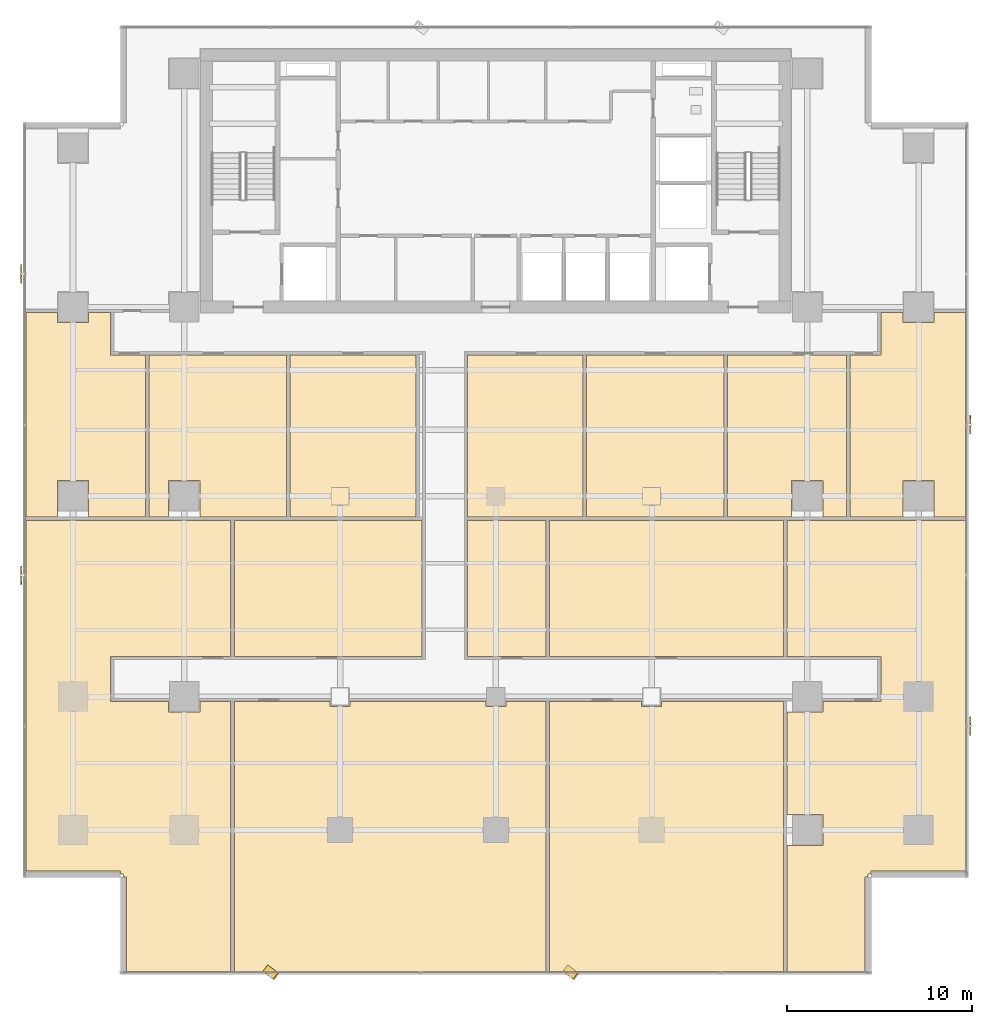
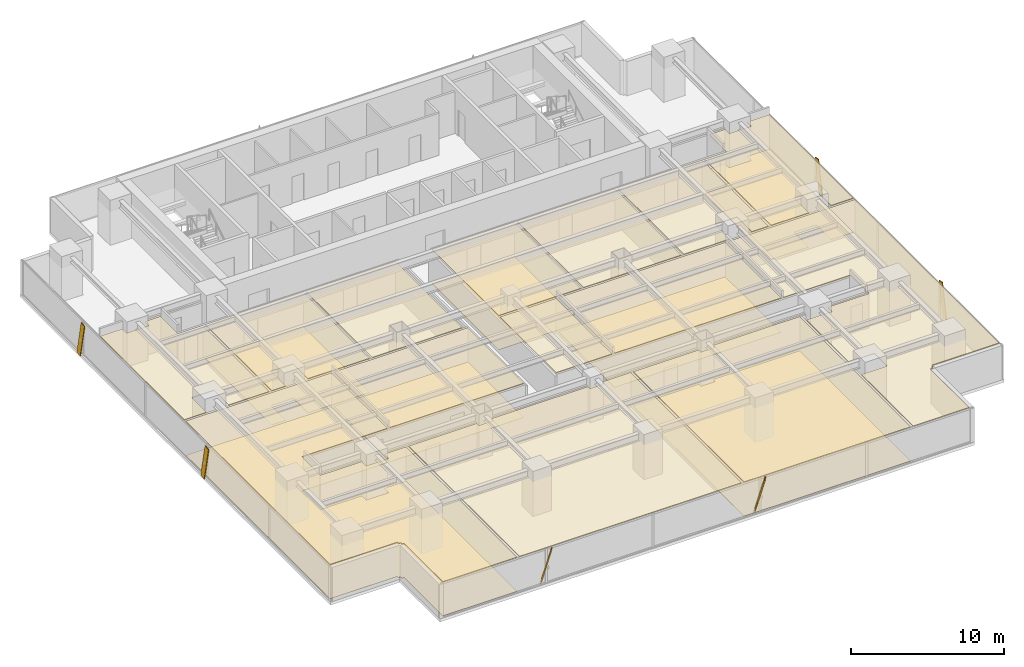
# One storey, part 32 of 36: 21 coverings, 6 shading devices.
"""IFC4 building model written with IfcOpenShell, lengths in metres."""

from ifc_helpers import new_model, si_unit, direction, frame, origin, origin_2d, place, context, subcontext, project, spatial, polyline, rectangle, outline, extrude, source, transform, mapped, material, layer, layer_set, material_profile, profile_set, type_object, element, save


model = new_model("IFC4")

# Units and contexts
model_context = context("Model", 3, precision=1e-05, world=origin(), true_north=direction((0.0, 1.0)))
body_context = subcontext(model_context, "Body", "Model", "MODEL_VIEW")
ifc_project = project(units=[si_unit("LENGTHUNIT", "METRE"), si_unit("AREAUNIT", "SQUARE_METRE"), si_unit("VOLUMEUNIT", "CUBIC_METRE"), si_unit("PLANEANGLEUNIT", "RADIAN"), si_unit("MASSUNIT", "GRAM", prefix="KILO")], contexts=[model_context])

# Site, building, storey
site_placement = place(None, origin())
site = spatial("IfcSite", under=ifc_project, at=site_placement, CompositionType="ELEMENT")
building_placement = place(site_placement, origin())
building = spatial("IfcBuilding", under=site, at=building_placement, Name="Sumidabori Civic Tower", CompositionType="ELEMENT")
storey_placement = place(building_placement, frame((0.0, 0.0, 92.0)))
storey = spatial("IfcBuildingStorey", under=building, at=storey_placement, Name="L23", CompositionType="ELEMENT", Elevation=92.0)

# Coverings
ifc_material_1 = material(Name="Gypsum Coffered Acoustic Ceiling")
ifc_layer_1 = layer(ifc_material_1, 0.06494140625, Name="Gypsum Coffered Acoustic Ceiling")
ifc_layer_set_1 = layer_set([ifc_layer_1], Name="Gypsum Coffered Acoustic Ceiling")
covering_type_1 = type_object("IfcCoveringType", Name="CV-CEIL-AC4", PredefinedType="CEILING", material=ifc_layer_set_1)
covering_1_placement = place(storey_placement, frame((0.0, 0.0, 2.7099609375)))
element("IfcCovering", 1, at=covering_1_placement, inside=storey, type_object=covering_type_1, Name="Room Acoustic Ceiling L23-02", PredefinedType="CEILING", context=body_context, shape_type="SweptSolid", body=[
    extrude(outline(polyline([(-25.330078125, -1.10498046875), (-25.330078125, 9.905029296875), (-23.639892578125, 9.905029296875), (-23.639892578125, 9.360107421875), (-21.9599609375, 9.360107421875), (-21.9599609375, 9.905029296875), (-20.77001953125, 9.905029296875), (-20.77001953125, 7.6298828125), (-18.89501953125, 7.6298828125), (-18.89501953125, -1.10498046875), (-21.9599609375, -1.10498046875), (-21.9599609375, 0.840087890625), (-23.639892578125, 0.840087890625), (-23.639892578125, -1.10498046875), (-25.330078125, -1.10498046875)])), origin(), (0.0, 0.0, 1.0), 0.06494140625),
])
covering_2_placement = place(storey_placement, frame((0.0, 0.0, 2.7099609375)))
element("IfcCovering", 2, at=covering_2_placement, inside=storey, type_object=covering_type_1, Name="Room Acoustic Ceiling L23-03", PredefinedType="CEILING", context=body_context, shape_type="SweptSolid", body=[
    extrude(outline(polyline([(19.094970703125, 7.6298828125), (20.77001953125, 7.6298828125), (20.77001953125, 9.905029296875), (21.9599609375, 9.905029296875), (21.9599609375, 9.360107421875), (23.639892578125, 9.360107421875), (23.639892578125, 9.905029296875), (25.330078125, 9.905029296875), (25.330078125, -1.10498046875), (23.639892578125, -1.10498046875), (23.639892578125, 0.840087890625), (21.9599609375, 0.840087890625), (21.9599609375, -1.10498046875), (19.094970703125, -1.10498046875), (19.094970703125, 7.6298828125)])), origin(), (0.0, 0.0, 1.0), 0.06494140625),
])
covering_3_placement = place(storey_placement, frame((0.0, 0.0, 2.7099609375)))
element("IfcCovering", 3, at=covering_3_placement, inside=storey, type_object=covering_type_1, Name="Room Acoustic Ceiling L23-04", PredefinedType="CEILING", context=body_context, shape_type="SweptSolid", body=[
    extrude(outline(polyline([(12.4951171875, 7.6298828125), (18.905029296875, 7.6298828125), (18.905029296875, -1.10498046875), (17.639892578125, -1.10498046875), (17.639892578125, 0.840087890625), (15.9599609375, 0.840087890625), (15.9599609375, -1.10498046875), (12.4951171875, -1.10498046875), (12.4951171875, 7.6298828125)])), origin(), (0.0, 0.0, 1.0), 0.06494140625),
])
covering_4_placement = place(storey_placement, frame((0.0, 0.0, 2.7099609375)))
element("IfcCovering", 4, at=covering_4_placement, inside=storey, type_object=covering_type_1, Name="Room Acoustic Ceiling L23-05", PredefinedType="CEILING", context=body_context, shape_type="SweptSolid", body=[
    extrude(outline(polyline([(-18.705078125, 7.6298828125), (-11.294921875, 7.6298828125), (-11.294921875, -1.10498046875), (-15.9599609375, -1.10498046875), (-15.9599609375, 0.840087890625), (-17.639892578125, 0.840087890625), (-17.639892578125, -1.10498046875), (-18.705078125, -1.10498046875), (-18.705078125, 7.6298828125)])), origin(), (0.0, 0.0, 1.0), 0.06494140625),
])
covering_5_placement = place(storey_placement, frame((0.0, 0.0, 2.7099609375)))
element("IfcCovering", 5, at=covering_5_placement, inside=storey, type_object=covering_type_1, Name="Room Acoustic Ceiling L23-06", PredefinedType="CEILING", context=body_context, shape_type="SweptSolid", body=[
    extrude(outline(polyline([(-11.10498046875, 7.6298828125), (-4.294921875, 7.6298828125), (-4.294921875, -1.10498046875), (-11.10498046875, -1.10498046875), (-11.10498046875, 7.6298828125)])), origin(), (0.0, 0.0, 1.0), 0.06494140625),
])
covering_6_placement = place(storey_placement, frame((0.0, 0.0, 2.7099609375)))
element("IfcCovering", 6, at=covering_6_placement, inside=storey, type_object=covering_type_1, Name="Room Acoustic Ceiling L23-07", PredefinedType="CEILING", context=body_context, shape_type="SweptSolid", body=[
    extrude(outline(polyline([(-1.530029296875, 7.6298828125), (4.705078125, 7.6298828125), (4.705078125, -1.10498046875), (-1.530029296875, -1.10498046875), (-1.530029296875, 7.6298828125)])), origin(), (0.0, 0.0, 1.0), 0.06494140625),
])
covering_7_placement = place(storey_placement, frame((0.0, 0.0, 2.7099609375)))
element("IfcCovering", 7, at=covering_7_placement, inside=storey, type_object=covering_type_1, Name="Room Acoustic Ceiling L23-08", PredefinedType="CEILING", context=body_context, shape_type="SweptSolid", body=[
    extrude(outline(polyline([(4.89501953125, 7.6298828125), (12.304931640625, 7.6298828125), (12.304931640625, -1.10498046875), (4.89501953125, -1.10498046875), (4.89501953125, 7.6298828125)])), origin(), (0.0, 0.0, 1.0), 0.06494140625),
])
covering_8_placement = place(storey_placement, frame((0.0, 0.0, 2.7099609375)))
element("IfcCovering", 8, at=covering_8_placement, inside=storey, type_object=covering_type_1, Name="Room Acoustic Ceiling L23-09", PredefinedType="CEILING", context=body_context, shape_type="SweptSolid", body=[
    extrude(outline(polyline([(-3.969970703125, -8.6298828125), (-14.10498046875, -8.6298828125), (-14.10498046875, -1.294921875), (-3.969970703125, -1.294921875), (-3.969970703125, -8.6298828125)])), origin(), (0.0, 0.0, 1.0), 0.06494140625),
])
covering_9_placement = place(storey_placement, frame((0.0, 0.0, 2.7099609375)))
element("IfcCovering", 9, at=covering_9_placement, inside=storey, type_object=covering_type_1, Name="Room Acoustic Ceiling L23-10", PredefinedType="CEILING", context=body_context, shape_type="SweptSolid", body=[
    extrude(outline(polyline([(-1.530029296875, -8.6298828125), (-1.530029296875, -1.294921875), (2.705078125, -1.294921875), (2.705078125, -8.6298828125), (-1.530029296875, -8.6298828125)])), origin(), (0.0, 0.0, 1.0), 0.06494140625),
])
covering_10_placement = place(storey_placement, frame((0.0, 0.0, 2.7099609375)))
element("IfcCovering", 10, at=covering_10_placement, inside=storey, type_object=covering_type_1, Name="Room Acoustic Ceiling L23-11", PredefinedType="CEILING", context=body_context, shape_type="SweptSolid", body=[
    extrude(outline(polyline([(2.89501953125, -8.6298828125), (2.89501953125, -1.294921875), (15.5048828125, -1.294921875), (15.5048828125, -8.6298828125), (2.89501953125, -8.6298828125)])), origin(), (0.0, 0.0, 1.0), 0.06494140625),
])
covering_11_placement = place(storey_placement, frame((0.0, 0.0, 2.7099609375)))
element("IfcCovering", 11, at=covering_11_placement, inside=storey, type_object=covering_type_1, Name="Room Acoustic Ceiling L23-12", PredefinedType="CEILING", context=body_context, shape_type="SweptSolid", body=[
    extrude(outline(polyline([(15.695068359375, -18.840087890625), (17.639892578125, -18.840087890625), (17.639892578125, -17.159912109375), (15.695068359375, -17.159912109375), (15.695068359375, -11.639892578125), (17.639892578125, -11.639892578125), (17.639892578125, -11.070068359375), (20.77001953125, -11.070068359375), (20.77001953125, -8.6298828125), (15.695068359375, -8.6298828125), (15.695068359375, -1.294921875), (25.330078125, -1.294921875), (25.330078125, -20.221923828125), (20.241943359375, -20.221923828125), (20.241943359375, -20.3798828125), (20.080078125, -20.3798828125), (20.080078125, -20.5419921875), (19.922119140625, -20.5419921875), (19.922119140625, -25.6298828125), (15.695068359375, -25.6298828125), (15.695068359375, -18.840087890625)])), origin(), (0.0, 0.0, 1.0), 0.06494140625),
])
covering_12_placement = place(storey_placement, frame((0.0, 0.0, 2.7099609375)))
element("IfcCovering", 12, at=covering_12_placement, inside=storey, type_object=covering_type_1, Name="Room Acoustic Ceiling L23-13", PredefinedType="CEILING", context=body_context, shape_type="SweptSolid", body=[
    extrude(outline(polyline([(-25.330078125, -20.221923828125), (-25.330078125, -1.294921875), (-14.294921875, -1.294921875), (-14.294921875, -8.6298828125), (-20.77001953125, -8.6298828125), (-20.77001953125, -11.070068359375), (-17.639892578125, -11.070068359375), (-17.639892578125, -11.639892578125), (-15.9599609375, -11.639892578125), (-15.9599609375, -11.070068359375), (-14.294921875, -11.070068359375), (-14.294921875, -25.6298828125), (-19.922119140625, -25.6298828125), (-19.922119140625, -20.5419921875), (-20.080078125, -20.5419921875), (-20.080078125, -20.3798828125), (-20.241943359375, -20.3798828125), (-20.241943359375, -20.221923828125), (-25.330078125, -20.221923828125)])), origin(), (0.0, 0.0, 1.0), 0.06494140625),
])
covering_13_placement = place(storey_placement, frame((0.0, 0.0, 2.7099609375)))
element("IfcCovering", 13, at=covering_13_placement, inside=storey, type_object=covering_type_1, Name="Room Acoustic Ceiling L23-14", PredefinedType="CEILING", context=body_context, shape_type="SweptSolid", body=[
    extrude(outline(polyline([(-14.10498046875, -11.070068359375), (-8.93994140625, -11.070068359375), (-8.93994140625, -11.340087890625), (-7.860107421875, -11.340087890625), (-7.860107421875, -11.070068359375), (-0.5400390625, -11.070068359375), (-0.5400390625, -11.340087890625), (0.5400390625, -11.340087890625), (0.5400390625, -11.070068359375), (2.705078125, -11.070068359375), (2.705078125, -25.6298828125), (-14.10498046875, -25.6298828125), (-14.10498046875, -11.070068359375)])), origin(), (0.0, 0.0, 1.0), 0.06494140625),
])
covering_14_placement = place(storey_placement, frame((0.0, 0.0, 2.7099609375)))
element("IfcCovering", 14, at=covering_14_placement, inside=storey, type_object=covering_type_1, Name="Room Acoustic Ceiling L23-15", PredefinedType="CEILING", context=body_context, shape_type="SweptSolid", body=[
    extrude(outline(polyline([(2.89501953125, -11.070068359375), (7.860107421875, -11.070068359375), (7.860107421875, -11.340087890625), (8.93994140625, -11.340087890625), (8.93994140625, -11.070068359375), (15.5048828125, -11.070068359375), (15.5048828125, -25.6298828125), (2.89501953125, -25.6298828125), (2.89501953125, -11.070068359375)])), origin(), (0.0, 0.0, 1.0), 0.06494140625),
])
ifc_material_2 = material(Name="Honed Terrazzo Tile Flooring")
ifc_layer_2 = layer(ifc_material_2, 0.030029296875, Name="Honed Terrazzo Tile Flooring")
ifc_layer_set_2 = layer_set([ifc_layer_2], Name="Honed Terrazzo Tile Flooring")
covering_type_2 = type_object("IfcCoveringType", Name="CV-FLR-TER", PredefinedType="FLOORING", material=ifc_layer_set_2)
covering_15_placement = place(storey_placement, origin())
element("IfcCovering", 15, at=covering_15_placement, inside=storey, type_object=covering_type_2, Name="Room Terrazzo Floor L23-03", PredefinedType="FLOORING", context=body_context, shape_type="SweptSolid", body=[
    extrude(outline(polyline([(19.094970703125, 7.6298828125), (20.77001953125, 7.6298828125), (20.77001953125, 9.905029296875), (21.9599609375, 9.905029296875), (21.9599609375, 9.360107421875), (23.639892578125, 9.360107421875), (23.639892578125, 9.905029296875), (25.330078125, 9.905029296875), (25.330078125, -1.10498046875), (23.639892578125, -1.10498046875), (23.639892578125, 0.840087890625), (21.9599609375, 0.840087890625), (21.9599609375, -1.10498046875), (19.094970703125, -1.10498046875), (19.094970703125, 7.6298828125)])), origin(), (0.0, 0.0, 1.0), 0.030029296875),
])
covering_16_placement = place(storey_placement, origin())
element("IfcCovering", 16, at=covering_16_placement, inside=storey, type_object=covering_type_2, Name="Room Terrazzo Floor L23-05", PredefinedType="FLOORING", context=body_context, shape_type="SweptSolid", body=[
    extrude(outline(polyline([(-18.705078125, 7.6298828125), (-11.294921875, 7.6298828125), (-11.294921875, -1.10498046875), (-15.9599609375, -1.10498046875), (-15.9599609375, 0.840087890625), (-17.639892578125, 0.840087890625), (-17.639892578125, -1.10498046875), (-18.705078125, -1.10498046875), (-18.705078125, 7.6298828125)])), origin(), (0.0, 0.0, 1.0), 0.030029296875),
])
covering_17_placement = place(storey_placement, origin())
element("IfcCovering", 17, at=covering_17_placement, inside=storey, type_object=covering_type_2, Name="Room Terrazzo Floor L23-07", PredefinedType="FLOORING", context=body_context, shape_type="SweptSolid", body=[
    extrude(outline(polyline([(-1.530029296875, 7.6298828125), (4.705078125, 7.6298828125), (4.705078125, -1.10498046875), (-1.530029296875, -1.10498046875), (-1.530029296875, 7.6298828125)])), origin(), (0.0, 0.0, 1.0), 0.030029296875),
])
covering_18_placement = place(storey_placement, origin())
element("IfcCovering", 18, at=covering_18_placement, inside=storey, type_object=covering_type_2, Name="Room Terrazzo Floor L23-09", PredefinedType="FLOORING", context=body_context, shape_type="SweptSolid", body=[
    extrude(outline(polyline([(-3.969970703125, -8.6298828125), (-14.10498046875, -8.6298828125), (-14.10498046875, -1.294921875), (-3.969970703125, -1.294921875), (-3.969970703125, -8.6298828125)])), origin(), (0.0, 0.0, 1.0), 0.030029296875),
])
covering_19_placement = place(storey_placement, origin())
element("IfcCovering", 19, at=covering_19_placement, inside=storey, type_object=covering_type_2, Name="Room Terrazzo Floor L23-11", PredefinedType="FLOORING", context=body_context, shape_type="SweptSolid", body=[
    extrude(outline(polyline([(2.89501953125, -8.6298828125), (2.89501953125, -1.294921875), (15.5048828125, -1.294921875), (15.5048828125, -8.6298828125), (2.89501953125, -8.6298828125)])), origin(), (0.0, 0.0, 1.0), 0.030029296875),
])
covering_20_placement = place(storey_placement, origin())
element("IfcCovering", 20, at=covering_20_placement, inside=storey, type_object=covering_type_2, Name="Room Terrazzo Floor L23-13", PredefinedType="FLOORING", context=body_context, shape_type="SweptSolid", body=[
    extrude(outline(polyline([(-25.330078125, -20.221923828125), (-25.330078125, -1.294921875), (-14.294921875, -1.294921875), (-14.294921875, -8.6298828125), (-20.77001953125, -8.6298828125), (-20.77001953125, -11.070068359375), (-17.639892578125, -11.070068359375), (-17.639892578125, -11.639892578125), (-15.9599609375, -11.639892578125), (-15.9599609375, -11.070068359375), (-14.294921875, -11.070068359375), (-14.294921875, -25.6298828125), (-19.922119140625, -25.6298828125), (-19.922119140625, -20.5419921875), (-20.080078125, -20.5419921875), (-20.080078125, -20.3798828125), (-20.241943359375, -20.3798828125), (-20.241943359375, -20.221923828125), (-25.330078125, -20.221923828125)])), origin(), (0.0, 0.0, 1.0), 0.030029296875),
])
covering_21_placement = place(storey_placement, origin())
element("IfcCovering", 21, at=covering_21_placement, inside=storey, type_object=covering_type_2, Name="Room Terrazzo Floor L23-15", PredefinedType="FLOORING", context=body_context, shape_type="SweptSolid", body=[
    extrude(outline(polyline([(2.89501953125, -11.070068359375), (7.860107421875, -11.070068359375), (7.860107421875, -11.340087890625), (8.93994140625, -11.340087890625), (8.93994140625, -11.070068359375), (15.5048828125, -11.070068359375), (15.5048828125, -25.6298828125), (2.89501953125, -25.6298828125), (2.89501953125, -11.070068359375)])), origin(), (0.0, 0.0, 1.0), 0.030029296875),
])

# Shading devices
ifc_material_3 = material(Name="Anodised Bronze Aluminium AW-6063-T6", Category="aluminium")
ifc_material_profile = material_profile(ifc_material_3, rectangle(XDim=0.06005859375, YDim=0.449951171875, at=origin_2d()), Name="BRONZE FIN 450x60")
ifc_profile_set = profile_set([ifc_material_profile], Name="Anodised Bronze Aluminium AW-6063-T6")
shading_device_type = type_object("IfcShadingDeviceType", Name="SH-FIN-450", PredefinedType="USERDEFINED", material=ifc_profile_set)
shared_shape_1 = source(origin(), body_context, "Body", "SweptSolid", [
    extrude(rectangle(XDim=0.06005859375, YDim=0.449951171875, at=origin_2d()), origin(), (0.0, 0.0, 1.0), 2.769775390625),
])
for number, where, z_axis, x_axis, name in (
    (22, (-12.412109375, -25.469970703125, 0.02001953125), (0.202198633998, -0.151604904305, 0.967538973582), (0.774112159528, -0.58041539424, -0.252721852241), "Bronze Anodised Diagonal Fin L23-01"),
    (23, (3.763916015625, -25.469970703125, 0.02001953125), (0.202198633998, -0.151604904305, 0.967538973582), (0.774112159528, -0.58041539424, -0.252721852241), "Bronze Anodised Diagonal Fin L23-03"),
):
    element("IfcShadingDevice", number, at=place(storey_placement, frame(where, z_axis=z_axis, x_axis=x_axis)), inside=storey, type_object=shading_device_type, Name=name, ObjectType="FIN", PredefinedType="USERDEFINED", context=body_context, shape_type="MappedRepresentation", body=[
        mapped(shared_shape_1, transform((0.0, 0.0, 0.0), x_axis=(1.0, 0.0, 0.0), y_axis=(0.0, 1.0, 0.0), z_axis=(0.0, 0.0, 1.0), scale=1.0)),
    ])
shared_shape_2 = source(origin(), body_context, "Body", "SweptSolid", [
    extrude(rectangle(XDim=0.06005859375, YDim=0.449951171875, at=origin_2d()), origin(), (0.0, 0.0, 1.0), 2.73779296875),
])
for number, where, z_axis, x_axis, name in (
    (24, (25.590087890625, -12.672119140625, 0.02001953125), (0.0, 0.204563143937, 0.978853370093), (-1.0, 0.0, 0.0), "Bronze Anodised Diagonal Fin L23-01"),
    (25, (25.590087890625, 3.583984375, 0.02001953125), (0.0, 0.204563143937, 0.978853370093), (-1.0, 0.0, 0.0), "Bronze Anodised Diagonal Fin L23-03"),
    (26, (-25.590087890625, 12.27197265625, 0.02001953125), (0.0, -0.204563143937, 0.978853370093), (-1.0, 0.0, 0.0), "Bronze Anodised Diagonal Fin L23-01"),
    (27, (-25.590087890625, -3.98388671875, 0.02001953125), (0.0, -0.204563143937, 0.978853370093), (-1.0, 0.0, 0.0), "Bronze Anodised Diagonal Fin L23-03"),
):
    element("IfcShadingDevice", number, at=place(storey_placement, frame(where, z_axis=z_axis, x_axis=x_axis)), inside=storey, type_object=shading_device_type, Name=name, ObjectType="FIN", PredefinedType="USERDEFINED", context=body_context, shape_type="MappedRepresentation", body=[
        mapped(shared_shape_2, transform((0.0, 0.0, 0.0), x_axis=(1.0, 0.0, 0.0), y_axis=(0.0, 1.0, 0.0), z_axis=(0.0, 0.0, 1.0), scale=1.0)),
    ])

save(model, "model.ifc")
